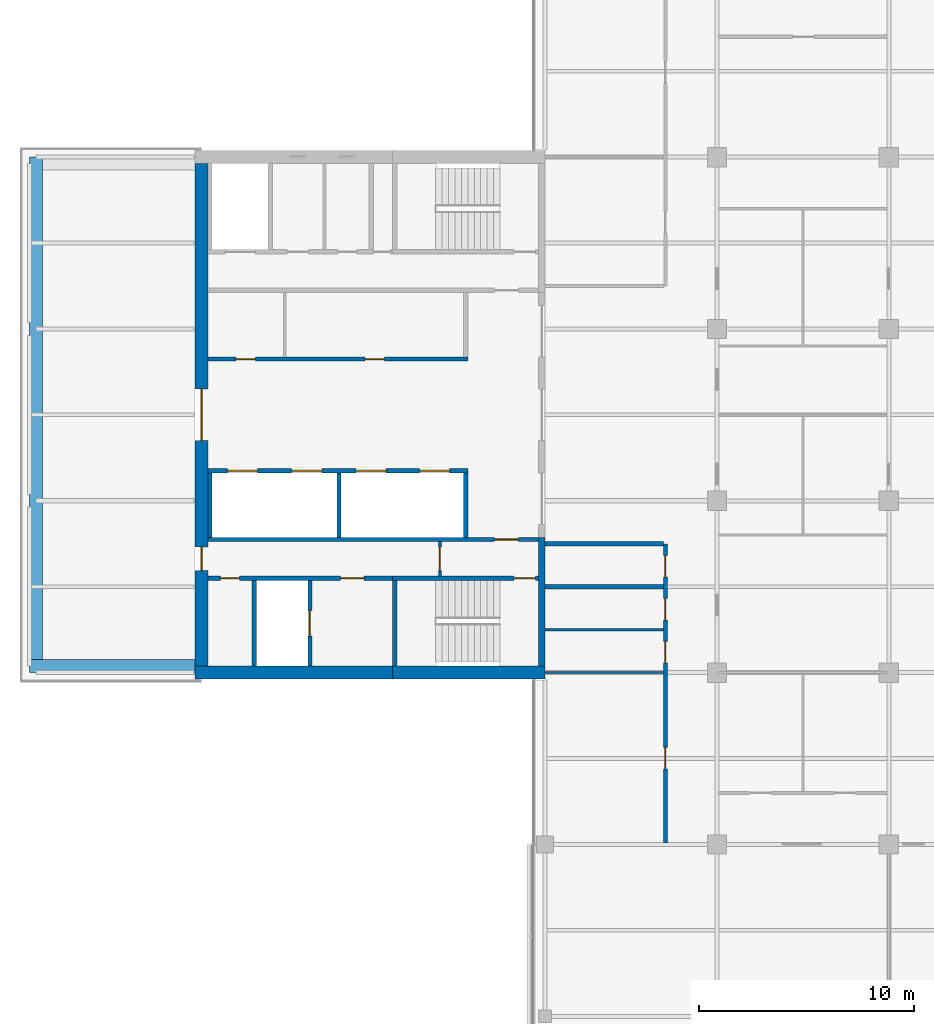
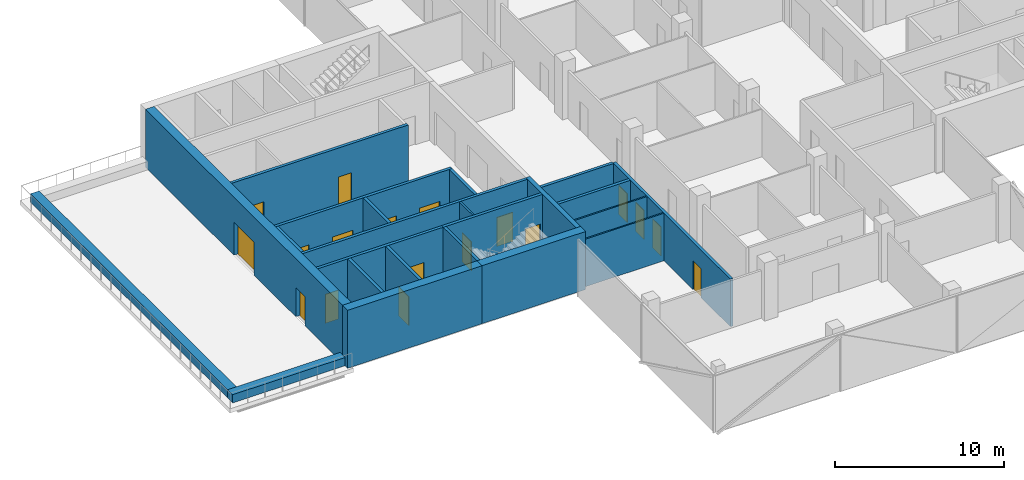
# One storey, part 11 of 18: 23 walls, 18 doors, 18 openings.
"""IFC4 building model written with IfcOpenShell, lengths in metres."""

from ifc_helpers import new_model, si_unit, direction, frame, frame_2d, origin, place, context, subcontext, project, spatial, rectangle, extrude, material, layer, layer_set, constituent, constituent_set, type_object, element, fill, save


model = new_model("IFC4")

# Units and contexts
model_context = context("Model", 3, precision=1e-05, world=origin(), true_north=direction((0.0, 1.0)))
body_context = subcontext(model_context, "Body", "Model", "MODEL_VIEW")
ifc_project = project(units=[si_unit("LENGTHUNIT", "METRE"), si_unit("AREAUNIT", "SQUARE_METRE"), si_unit("VOLUMEUNIT", "CUBIC_METRE"), si_unit("PLANEANGLEUNIT", "RADIAN"), si_unit("MASSUNIT", "GRAM", prefix="KILO")], contexts=[model_context])

# Site, building, storey
site_placement = place(None, origin())
site = spatial("IfcSite", under=ifc_project, at=site_placement, CompositionType="ELEMENT")
building_placement = place(site_placement, origin())
building = spatial("IfcBuilding", under=site, at=building_placement, Name="Crosswind Convention Tower", CompositionType="ELEMENT")
storey_placement = place(building_placement, frame((0.0, 0.0, 178.89990234375)))
storey = spatial("IfcBuildingStorey", under=building, at=storey_placement, Name="L37", CompositionType="ELEMENT", Elevation=178.89990234375)

# Wall, openings, doors
ifc_material_1 = material(Name="Concrete blockwork", Category="masonry")
ifc_layer_1 = layer(ifc_material_1, 0.199951171875)
ifc_layer_set_1 = layer_set([ifc_layer_1], Name="COMPARTMENT WALL 200 BLOCKWORK")
wall_type_1 = type_object("IfcWallType", Name="COMPARTMENT WALL 200 BLOCKWORK", PredefinedType="SOLIDWALL", material=ifc_layer_set_1)
wall_1_placement = place(storey_placement, frame((118.60009765625, 80.074951171875, 0.0), z_axis=(0.0, 0.0, 1.0), x_axis=(0.0, 1.0, 0.0)))
wall_1 = element("IfcWall", 1, at=wall_1_placement, inside=storey, type_object=wall_type_1, Name="Compartment wall WT42", PredefinedType="SOLIDWALL", context=body_context, shape_type="SweptSolid", body=[
    extrude(rectangle(XDim=13.925048828125, YDim=0.199951171875, at=frame_2d((6.96240234375, 0.0))), origin(), (0.0, 0.0, 1.0), 3.43994140625),
])
opening_1_placement = place(wall_1_placement, frame((12.375, 0.0, 0.0)))
opening_1 = element("IfcOpeningElement", 2, at=opening_1_placement, cuts=wall_1, Name="Opening L37-58", PredefinedType="OPENING", context=body_context, shape_type="SweptSolid", body=[
    extrude(rectangle(XDim=1.0, YDim=2.10009765625, at=frame_2d((0.5, 1.050048828125))), frame((0.0, 0.10986328125, 0.0), z_axis=(0.0, -1.0, 0.0), x_axis=(1.0, 0.0, 0.0)), (0.0, 0.0, 1.0), 0.219970703125),
])
opening_2_placement = place(wall_1_placement, frame((10.375, 0.0, 0.0)))
opening_2 = element("IfcOpeningElement", 3, at=opening_2_placement, cuts=wall_1, Name="Opening L37-59", PredefinedType="OPENING", context=body_context, shape_type="SweptSolid", body=[
    extrude(rectangle(XDim=1.0, YDim=2.10009765625, at=frame_2d((0.5, 1.050048828125))), frame((0.0, 0.10986328125, 0.0), z_axis=(0.0, -1.0, 0.0), x_axis=(1.0, 0.0, 0.0)), (0.0, 0.0, 1.0), 0.219970703125),
])
opening_3_placement = place(wall_1_placement, frame((8.375, 0.0, 0.0)))
opening_3 = element("IfcOpeningElement", 4, at=opening_3_placement, cuts=wall_1, Name="Opening L37-60", PredefinedType="OPENING", context=body_context, shape_type="SweptSolid", body=[
    extrude(rectangle(XDim=1.0, YDim=2.10009765625, at=frame_2d((0.5, 1.050048828125))), frame((0.0, 0.10986328125, 0.0), z_axis=(0.0, -1.0, 0.0), x_axis=(1.0, 0.0, 0.0)), (0.0, 0.0, 1.0), 0.219970703125),
])
opening_4_placement = place(wall_1_placement, frame((3.449951171875, 0.0, 0.0)))
opening_4 = element("IfcOpeningElement", 5, at=opening_4_placement, cuts=wall_1, Name="Opening L37-61", PredefinedType="OPENING", context=body_context, shape_type="SweptSolid", body=[
    extrude(rectangle(XDim=1.0, YDim=2.10009765625, at=frame_2d((0.5, 1.050048828125))), frame((0.0, 0.10986328125, 0.0), z_axis=(0.0, -1.0, 0.0), x_axis=(1.0, 0.0, 0.0)), (0.0, 0.0, 1.0), 0.219970703125),
])
ifc_material_2 = material(Name="Steel fire door", Category="steel")
door_type_1 = type_object("IfcDoorType", Name="PLANT ROOM DOOR 1000X2100 FD60", OperationType="NOTDEFINED", PredefinedType="DOOR", material=ifc_material_2)
door_1_placement = place(opening_1_placement, origin())
door_1 = element("IfcDoor", 6, at=door_1_placement, inside=storey, type_object=door_type_1, Name="Door L37-58", ObjectType="D43", OperationType="SINGLE_SWING_LEFT", OverallHeight=2.10009765625, OverallWidth=1.0, PredefinedType="DOOR", context=body_context, shape_type="SweptSolid", body=[
    extrude(rectangle(XDim=1.0, YDim=2.10009765625, at=frame_2d((0.5, 1.050048828125))), frame((0.0, 0.02490234375, 0.0), z_axis=(0.0, -1.0, 0.0), x_axis=(1.0, 0.0, 0.0)), (0.0, 0.0, 1.0), 0.050048828125),
])
fill(opening_1, door_1)
ifc_material_3 = material(Name="Timber fire door", Category="wood")
door_type_2 = type_object("IfcDoorType", Name="TENANCY ENTRANCE DOOR 1000X2100 FD30S", OperationType="NOTDEFINED", PredefinedType="DOOR", material=ifc_material_3)
door_2_placement = place(opening_2_placement, origin())
door_2 = element("IfcDoor", 7, at=door_2_placement, inside=storey, type_object=door_type_2, Name="Door L37-59", ObjectType="D41", OperationType="SINGLE_SWING_RIGHT", OverallHeight=2.10009765625, OverallWidth=1.0, PredefinedType="DOOR", context=body_context, shape_type="SweptSolid", body=[
    extrude(rectangle(XDim=1.0, YDim=2.10009765625, at=frame_2d((0.5, 1.050048828125))), frame((0.0, 0.02490234375, 0.0), z_axis=(0.0, -1.0, 0.0), x_axis=(1.0, 0.0, 0.0)), (0.0, 0.0, 1.0), 0.050048828125),
])
fill(opening_2, door_2)
door_3_placement = place(opening_3_placement, origin())
door_3 = element("IfcDoor", 8, at=door_3_placement, inside=storey, type_object=door_type_2, Name="Door L37-60", ObjectType="D41", OperationType="SINGLE_SWING_LEFT", OverallHeight=2.10009765625, OverallWidth=1.0, PredefinedType="DOOR", context=body_context, shape_type="SweptSolid", body=[
    extrude(rectangle(XDim=1.0, YDim=2.10009765625, at=frame_2d((0.5, 1.050048828125))), frame((0.0, 0.02490234375, 0.0), z_axis=(0.0, -1.0, 0.0), x_axis=(1.0, 0.0, 0.0)), (0.0, 0.0, 1.0), 0.050048828125),
])
fill(opening_3, door_3)
door_4_placement = place(opening_4_placement, origin())
door_4 = element("IfcDoor", 9, at=door_4_placement, inside=storey, type_object=door_type_2, Name="Door L37-61", ObjectType="D41", OperationType="SINGLE_SWING_RIGHT", OverallHeight=2.10009765625, OverallWidth=1.0, PredefinedType="DOOR", context=body_context, shape_type="SweptSolid", body=[
    extrude(rectangle(XDim=1.0, YDim=2.10009765625, at=frame_2d((0.5, 1.050048828125))), frame((0.0, 0.02490234375, 0.0), z_axis=(0.0, -1.0, 0.0), x_axis=(1.0, 0.0, 0.0)), (0.0, 0.0, 1.0), 0.050048828125),
])
fill(opening_4, door_4)

# Walls
for number, where, z_axis, x_axis, name in (
    (10, (113.0, 92.0, 0.0), (0.0, 0.0, 1.0), (1.0, 0.0, 0.0), "Compartment wall WT42"),
    (11, (113.0, 94.0, 0.0), (0.0, 0.0, 1.0), (1.0, 0.0, 0.0), "Compartment wall WT42"),
):
    element("IfcWall", number, at=place(storey_placement, frame(where, z_axis=z_axis, x_axis=x_axis)), inside=storey, type_object=wall_type_1, Name=name, PredefinedType="SOLIDWALL", context=body_context, shape_type="SweptSolid", body=[
        extrude(rectangle(XDim=5.5, YDim=0.199951171875, at=frame_2d((2.75, 0.0))), origin(), (0.0, 0.0, 1.0), 3.43994140625),
    ])
ifc_material_4 = material(Name="Concrete C50/60", Category="concrete")
ifc_layer_2 = layer(ifc_material_4, 0.300048828125)
ifc_layer_set_2 = layer_set([ifc_layer_2], Name="Concrete C50/60")
wall_type_2 = type_object("IfcWallType", Name="Concrete inner core wall 300", PredefinedType="SHEAR", material=ifc_layer_set_2)
wall_2_placement = place(storey_placement, frame((112.85009765625, 94.300048828125, 0.0), z_axis=(0.0, 0.0, 1.0), x_axis=(0.0, -1.0, 0.0)))
element("IfcWall", 12, at=wall_2_placement, inside=storey, type_object=wall_type_2, Name="Wall EP W L37", PredefinedType="SHEAR", context=body_context, shape_type="SweptSolid", body=[
    extrude(rectangle(XDim=6.0, YDim=0.300048828125, at=frame_2d((3.0, 0.0))), origin(), (0.0, 0.0, 1.0), 4.2001953125),
])
ifc_layer_3 = layer(ifc_material_4, 0.199951171875)
ifc_layer_set_3 = layer_set([ifc_layer_3], Name="Concrete C50/60")
wall_type_3 = type_object("IfcWallType", Name="Concrete shaft and stair wall 200", PredefinedType="SHEAR", material=ifc_layer_set_3)
for number, where, z_axis, x_axis, name in (
    (13, (109.300048828125, 97.300048828125, 0.0), (0.0, 0.0, 1.0), (0.0, -1.0, 0.0), "Wall RPEND W L37"),
    (14, (103.39990234375, 97.300048828125, 0.0), (0.0, 0.0, 1.0), (0.0, -1.0, 0.0), "Wall RPSEP W L37"),
    (15, (97.39990234375, 97.300048828125, 0.0), (0.0, 0.0, 1.0), (0.0, -1.0, 0.0), "Wall RPEAST W L37"),
):
    element("IfcWall", number, at=place(storey_placement, frame(where, z_axis=z_axis, x_axis=x_axis)), inside=storey, type_object=wall_type_3, Name=name, PredefinedType="SHEAR", context=body_context, shape_type="SweptSolid", body=[
        extrude(rectangle(XDim=3.0, YDim=0.199951171875, at=frame_2d((1.5, 0.0))), origin(), (0.0, 0.0, 1.0), 4.2001953125),
    ])

# Wall, openings, doors
wall_3_placement = place(storey_placement, frame((109.39990234375, 97.39990234375, 0.0), z_axis=(0.0, 0.0, 1.0), x_axis=(-1.0, 0.0, 0.0)))
wall_3 = element("IfcWall", 16, at=wall_3_placement, inside=storey, type_object=wall_type_3, Name="Wall RPFRONT W L37", PredefinedType="SHEAR", context=body_context, shape_type="SweptSolid", body=[
    extrude(rectangle(XDim=12.099853515625, YDim=0.199951171875, at=frame_2d((6.0498046875, 0.0))), origin(), (0.0, 0.0, 1.0), 4.2001953125),
])
opening_5_placement = place(wall_3_placement, frame((0.85009765625, 0.0, 0.0)))
opening_5 = element("IfcOpeningElement", 17, at=opening_5_placement, cuts=wall_3, Name="Opening LD2", PredefinedType="OPENING", context=body_context, shape_type="SweptSolid", body=[
    extrude(rectangle(XDim=1.39990234375, YDim=2.10009765625, at=frame_2d((0.699951171875, 1.050048828125))), frame((0.0, 0.10986328125, 0.0), z_axis=(0.0, -1.0, 0.0), x_axis=(1.0, 0.0, 0.0)), (0.0, 0.0, 1.0), 0.219970703125),
])
opening_6_placement = place(wall_3_placement, frame((3.800048828125, 0.0, 0.0)))
opening_6 = element("IfcOpeningElement", 18, at=opening_6_placement, cuts=wall_3, Name="Opening LD2", PredefinedType="OPENING", context=body_context, shape_type="SweptSolid", body=[
    extrude(rectangle(XDim=1.39990234375, YDim=2.10009765625, at=frame_2d((0.699951171875, 1.050048828125))), frame((0.0, 0.10986328125, 0.0), z_axis=(0.0, -1.0, 0.0), x_axis=(1.0, 0.0, 0.0)), (0.0, 0.0, 1.0), 0.219970703125),
])
opening_7_placement = place(wall_3_placement, frame((6.800048828125, 0.0, 0.0)))
opening_7 = element("IfcOpeningElement", 19, at=opening_7_placement, cuts=wall_3, Name="Opening LD2", PredefinedType="OPENING", context=body_context, shape_type="SweptSolid", body=[
    extrude(rectangle(XDim=1.39990234375, YDim=2.10009765625, at=frame_2d((0.699951171875, 1.050048828125))), frame((0.0, 0.10986328125, 0.0), z_axis=(0.0, -1.0, 0.0), x_axis=(1.0, 0.0, 0.0)), (0.0, 0.0, 1.0), 0.219970703125),
])
opening_8_placement = place(wall_3_placement, frame((9.800048828125, 0.0, 0.0)))
opening_8 = element("IfcOpeningElement", 20, at=opening_8_placement, cuts=wall_3, Name="Opening LD2", PredefinedType="OPENING", context=body_context, shape_type="SweptSolid", body=[
    extrude(rectangle(XDim=1.39990234375, YDim=2.10009765625, at=frame_2d((0.699951171875, 1.050048828125))), frame((0.0, 0.10986328125, 0.0), z_axis=(0.0, -1.0, 0.0), x_axis=(1.0, 0.0, 0.0)), (0.0, 0.0, 1.0), 0.219970703125),
])
ifc_material_5 = material(Name="Stainless steel", Category="steel")
door_type_3 = type_object("IfcDoorType", Name="Lift landing door 1400x2100", OperationType="DOUBLE_DOOR_SLIDING", PredefinedType="DOOR", material=ifc_material_5)
door_5_placement = place(opening_5_placement, origin())
door_5 = element("IfcDoor", 21, at=door_5_placement, inside=storey, type_object=door_type_3, Name="Landing door HR1 L37", ObjectType="LD2", OperationType="DOUBLE_DOOR_SLIDING", OverallHeight=2.10009765625, OverallWidth=1.39990234375, PredefinedType="DOOR", context=body_context, shape_type="SweptSolid", body=[
    extrude(rectangle(XDim=1.39990234375, YDim=2.10009765625, at=frame_2d((0.699951171875, 1.050048828125))), frame((0.0, 0.02490234375, 0.0), z_axis=(0.0, -1.0, 0.0), x_axis=(1.0, 0.0, 0.0)), (0.0, 0.0, 1.0), 0.050048828125),
])
fill(opening_5, door_5)
door_6_placement = place(opening_6_placement, origin())
door_6 = element("IfcDoor", 22, at=door_6_placement, inside=storey, type_object=door_type_3, Name="Landing door HR2 L37", ObjectType="LD2", OperationType="DOUBLE_DOOR_SLIDING", OverallHeight=2.10009765625, OverallWidth=1.39990234375, PredefinedType="DOOR", context=body_context, shape_type="SweptSolid", body=[
    extrude(rectangle(XDim=1.39990234375, YDim=2.10009765625, at=frame_2d((0.699951171875, 1.050048828125))), frame((0.0, 0.02490234375, 0.0), z_axis=(0.0, -1.0, 0.0), x_axis=(1.0, 0.0, 0.0)), (0.0, 0.0, 1.0), 0.050048828125),
])
fill(opening_6, door_6)
door_7_placement = place(opening_7_placement, origin())
door_7 = element("IfcDoor", 23, at=door_7_placement, inside=storey, type_object=door_type_3, Name="Landing door HR3 L37", ObjectType="LD2", OperationType="DOUBLE_DOOR_SLIDING", OverallHeight=2.10009765625, OverallWidth=1.39990234375, PredefinedType="DOOR", context=body_context, shape_type="SweptSolid", body=[
    extrude(rectangle(XDim=1.39990234375, YDim=2.10009765625, at=frame_2d((0.699951171875, 1.050048828125))), frame((0.0, 0.02490234375, 0.0), z_axis=(0.0, -1.0, 0.0), x_axis=(1.0, 0.0, 0.0)), (0.0, 0.0, 1.0), 0.050048828125),
])
fill(opening_7, door_7)
door_8_placement = place(opening_8_placement, origin())
door_8 = element("IfcDoor", 24, at=door_8_placement, inside=storey, type_object=door_type_3, Name="Landing door HR4 L37", ObjectType="LD2", OperationType="DOUBLE_DOOR_SLIDING", OverallHeight=2.10009765625, OverallWidth=1.39990234375, PredefinedType="DOOR", context=body_context, shape_type="SweptSolid", body=[
    extrude(rectangle(XDim=1.39990234375, YDim=2.10009765625, at=frame_2d((0.699951171875, 1.050048828125))), frame((0.0, 0.02490234375, 0.0), z_axis=(0.0, -1.0, 0.0), x_axis=(1.0, 0.0, 0.0)), (0.0, 0.0, 1.0), 0.050048828125),
])
fill(opening_8, door_8)

wall_4_placement = place(storey_placement, frame((109.39990234375, 102.60009765625, 0.0), z_axis=(0.0, 0.0, 1.0), x_axis=(-1.0, 0.0, 0.0)))
wall_4 = element("IfcWall", 25, at=wall_4_placement, inside=storey, type_object=wall_type_3, Name="Wall RMFRONT W L37", PredefinedType="SHEAR", context=body_context, shape_type="SweptSolid", body=[
    extrude(rectangle(XDim=12.099853515625, YDim=0.199951171875, at=frame_2d((6.0498046875, 0.0))), origin(), (0.0, 0.0, 1.0), 4.2001953125),
])
opening_9_placement = place(wall_4_placement, frame((3.8837890625, 0.0, 0.0)))
opening_9 = element("IfcOpeningElement", 26, at=opening_9_placement, cuts=wall_4, Name="Opening D106", PredefinedType="OPENING", context=body_context, shape_type="SweptSolid", body=[
    extrude(rectangle(XDim=0.89990234375, YDim=2.10009765625, at=frame_2d((0.449951171875, 1.050048828125))), frame((0.0, 0.10986328125, 0.0), z_axis=(0.0, -1.0, 0.0), x_axis=(1.0, 0.0, 0.0)), (0.0, 0.0, 1.0), 0.219970703125),
])
opening_10_placement = place(wall_4_placement, frame((9.896240234375, 0.0, 0.0)))
opening_10 = element("IfcOpeningElement", 27, at=opening_10_placement, cuts=wall_4, Name="Opening D106", PredefinedType="OPENING", context=body_context, shape_type="SweptSolid", body=[
    extrude(rectangle(XDim=0.89990234375, YDim=2.10009765625, at=frame_2d((0.449951171875, 1.050048828125))), frame((0.0, 0.10986328125, 0.0), z_axis=(0.0, -1.0, 0.0), x_axis=(1.0, 0.0, 0.0)), (0.0, 0.0, 1.0), 0.219970703125),
])
ifc_material_6 = material(Name="Timber door", Category="wood")
door_type_4 = type_object("IfcDoorType", Name="Single leaf door 900x2100", OperationType="NOTDEFINED", PredefinedType="DOOR", material=ifc_material_6)
door_9_placement = place(opening_9_placement, frame((0.89990234375, 0.0, 0.0), z_axis=(0.0, 0.0, 1.0), x_axis=(-1.0, 0.0, 0.0)))
door_9 = element("IfcDoor", 28, at=door_9_placement, inside=storey, type_object=door_type_4, Name="Door to pantry L37", ObjectType="D106", OperationType="SINGLE_SWING_LEFT", OverallHeight=2.10009765625, OverallWidth=0.89990234375, PredefinedType="DOOR", context=body_context, shape_type="SweptSolid", body=[
    extrude(rectangle(XDim=0.89990234375, YDim=2.10009765625, at=frame_2d((0.449951171875, 1.050048828125))), frame((0.0, 0.02490234375, 0.0), z_axis=(0.0, -1.0, 0.0), x_axis=(1.0, 0.0, 0.0)), (0.0, 0.0, 1.0), 0.050048828125),
])
fill(opening_9, door_9)
door_10_placement = place(opening_10_placement, frame((0.89990234375, 0.0, 0.0), z_axis=(0.0, 0.0, 1.0), x_axis=(-1.0, 0.0, 0.0)))
door_10 = element("IfcDoor", 29, at=door_10_placement, inside=storey, type_object=door_type_4, Name="Door to telecoms room L37", ObjectType="D106", OperationType="SINGLE_SWING_LEFT", OverallHeight=2.10009765625, OverallWidth=0.89990234375, PredefinedType="DOOR", context=body_context, shape_type="SweptSolid", body=[
    extrude(rectangle(XDim=0.89990234375, YDim=2.10009765625, at=frame_2d((0.449951171875, 1.050048828125))), frame((0.0, 0.02490234375, 0.0), z_axis=(0.0, -1.0, 0.0), x_axis=(1.0, 0.0, 0.0)), (0.0, 0.0, 1.0), 0.050048828125),
])
fill(opening_10, door_10)

# Wall, opening, door
wall_5_placement = place(storey_placement, frame((112.699951171875, 94.199951171875, 0.0), z_axis=(0.0, 0.0, 1.0), x_axis=(-1.0, 0.0, 0.0)))
wall_5 = element("IfcWall", 30, at=wall_5_placement, inside=storey, type_object=wall_type_3, Name="Wall HP W L37", PredefinedType="SHEAR", context=body_context, shape_type="SweptSolid", body=[
    extrude(rectangle(XDim=15.39990234375, YDim=0.199951171875, at=frame_2d((7.699951171875, 0.0))), origin(), (0.0, 0.0, 1.0), 4.2001953125),
])
opening_11_placement = place(wall_5_placement, frame((0.949951171875, 0.0, 0.0)))
opening_11 = element("IfcOpeningElement", 31, at=opening_11_placement, cuts=wall_5, Name="Opening D104", PredefinedType="OPENING", context=body_context, shape_type="SweptSolid", body=[
    extrude(rectangle(XDim=1.10009765625, YDim=2.10009765625, at=frame_2d((0.550048828125, 1.050048828125))), frame((0.0, 0.10986328125, 0.0), z_axis=(0.0, -1.0, 0.0), x_axis=(1.0, 0.0, 0.0)), (0.0, 0.0, 1.0), 0.219970703125),
])
door_type_5 = type_object("IfcDoorType", Name="Fire-rated single door 1100x2100", OperationType="NOTDEFINED", PredefinedType="DOOR", material=ifc_material_2)
door_11_placement = place(opening_11_placement, origin())
door_11 = element("IfcDoor", 32, at=door_11_placement, inside=storey, type_object=door_type_5, Name="Corridor door L37", ObjectType="D104", OperationType="SINGLE_SWING_LEFT", OverallHeight=2.10009765625, OverallWidth=1.10009765625, PredefinedType="DOOR", context=body_context, shape_type="SweptSolid", body=[
    extrude(rectangle(XDim=1.10009765625, YDim=2.10009765625, at=frame_2d((0.550048828125, 1.050048828125))), frame((0.0, 0.02490234375, 0.0), z_axis=(0.0, -1.0, 0.0), x_axis=(1.0, 0.0, 0.0)), (0.0, 0.0, 1.0), 0.050048828125),
])
fill(opening_11, door_11)

# Wall
wall_6_placement = place(storey_placement, frame((106.0, 92.300048828125, 0.0), z_axis=(0.0, 0.0, 1.0), x_axis=(0.0, -1.0, 0.0)))
element("IfcWall", 33, at=wall_6_placement, inside=storey, type_object=wall_type_3, Name="Wall PSE W L37", PredefinedType="SHEAR", context=body_context, shape_type="SweptSolid", body=[
    extrude(rectangle(XDim=4.0, YDim=0.199951171875, at=frame_2d((2.0, 0.0))), origin(), (0.0, 0.0, 1.0), 4.2001953125),
])

# Wall, opening, door
wall_7_placement = place(storey_placement, frame((102.050048828125, 92.300048828125, 0.0), z_axis=(0.0, 0.0, 1.0), x_axis=(0.0, -1.0, 0.0)))
wall_7 = element("IfcWall", 34, at=wall_7_placement, inside=storey, type_object=wall_type_3, Name="Wall PFLW W L37", PredefinedType="SHEAR", context=body_context, shape_type="SweptSolid", body=[
    extrude(rectangle(XDim=4.0, YDim=0.199951171875, at=frame_2d((2.0, 0.0))), origin(), (0.0, 0.0, 1.0), 4.2001953125),
])
opening_12_placement = place(wall_7_placement, frame((1.39990234375, 0.0, 0.0)))
opening_12 = element("IfcOpeningElement", 35, at=opening_12_placement, cuts=wall_7, Name="Opening LD1", PredefinedType="OPENING", context=body_context, shape_type="SweptSolid", body=[
    extrude(rectangle(XDim=1.199951171875, YDim=2.10009765625, at=frame_2d((0.60009765625, 1.050048828125))), frame((0.0, 0.10986328125, 0.0), z_axis=(0.0, -1.0, 0.0), x_axis=(1.0, 0.0, 0.0)), (0.0, 0.0, 1.0), 0.219970703125),
])
door_type_6 = type_object("IfcDoorType", Name="Lift landing door 1200x2100", OperationType="DOUBLE_DOOR_SLIDING", PredefinedType="DOOR", material=ifc_material_5)
door_12_placement = place(opening_12_placement, origin())
door_12 = element("IfcDoor", 36, at=door_12_placement, inside=storey, type_object=door_type_6, Name="Landing door FF2 L37", ObjectType="LD1", OperationType="DOUBLE_DOOR_SLIDING", OverallHeight=2.10009765625, OverallWidth=1.199951171875, PredefinedType="DOOR", context=body_context, shape_type="SweptSolid", body=[
    extrude(rectangle(XDim=1.199951171875, YDim=2.10009765625, at=frame_2d((0.60009765625, 1.050048828125))), frame((0.0, 0.02490234375, 0.0), z_axis=(0.0, -1.0, 0.0), x_axis=(1.0, 0.0, 0.0)), (0.0, 0.0, 1.0), 0.050048828125),
])
fill(opening_12, door_12)

# Wall
wall_8_placement = place(storey_placement, frame((99.449951171875, 92.300048828125, 0.0), z_axis=(0.0, 0.0, 1.0), x_axis=(0.0, -1.0, 0.0)))
element("IfcWall", 37, at=wall_8_placement, inside=storey, type_object=wall_type_3, Name="Wall PFSE W L37", PredefinedType="SHEAR", context=body_context, shape_type="SweptSolid", body=[
    extrude(rectangle(XDim=4.0, YDim=0.199951171875, at=frame_2d((2.0, 0.0))), origin(), (0.0, 0.0, 1.0), 4.2001953125),
])

# Wall, opening, door
wall_9_placement = place(storey_placement, frame((112.699951171875, 92.39990234375, 0.0), z_axis=(0.0, 0.0, 1.0), x_axis=(-1.0, 0.0, 0.0)))
wall_9 = element("IfcWall", 38, at=wall_9_placement, inside=storey, type_object=wall_type_3, Name="Wall PCW W L37", PredefinedType="SHEAR", context=body_context, shape_type="SweptSolid", body=[
    extrude(rectangle(XDim=6.800048828125, YDim=0.199951171875, at=frame_2d((3.39990234375, 0.0))), origin(), (0.0, 0.0, 1.0), 4.2001953125),
])
opening_13_placement = place(wall_9_placement, frame((0.14990234375, 0.0, 0.0)))
opening_13 = element("IfcOpeningElement", 39, at=opening_13_placement, cuts=wall_9, Name="Opening D103", PredefinedType="OPENING", context=body_context, shape_type="SweptSolid", body=[
    extrude(rectangle(XDim=1.0, YDim=2.10009765625, at=frame_2d((0.5, 1.050048828125))), frame((0.0, 0.10986328125, 0.0), z_axis=(0.0, -1.0, 0.0), x_axis=(1.0, 0.0, 0.0)), (0.0, 0.0, 1.0), 0.219970703125),
])
door_type_7 = type_object("IfcDoorType", Name="Fire-rated single door 1000x2100", OperationType="NOTDEFINED", PredefinedType="DOOR", material=ifc_material_2)
door_13_placement = place(opening_13_placement, origin())
door_13 = element("IfcDoor", 40, at=door_13_placement, inside=storey, type_object=door_type_7, Name="Stair ST3 door L37", ObjectType="D103", OperationType="SINGLE_SWING_LEFT", OverallHeight=2.10009765625, OverallWidth=1.0, PredefinedType="DOOR", context=body_context, shape_type="SweptSolid", body=[
    extrude(rectangle(XDim=1.0, YDim=2.10009765625, at=frame_2d((0.5, 1.050048828125))), frame((0.0, 0.02490234375, 0.0), z_axis=(0.0, -1.0, 0.0), x_axis=(1.0, 0.0, 0.0)), (0.0, 0.0, 1.0), 0.050048828125),
])
fill(opening_13, door_13)

# Wall, openings, doors
wall_10_placement = place(storey_placement, frame((105.89990234375, 92.39990234375, 0.0), z_axis=(0.0, 0.0, 1.0), x_axis=(-1.0, 0.0, 0.0)))
wall_10 = element("IfcWall", 41, at=wall_10_placement, inside=storey, type_object=wall_type_3, Name="Wall PCX W L37", PredefinedType="SHEAR", context=body_context, shape_type="SweptSolid", body=[
    extrude(rectangle(XDim=8.599853515625, YDim=0.199951171875, at=frame_2d((4.2998046875, 0.0))), origin(), (0.0, 0.0, 1.0), 4.2001953125),
])
opening_14_placement = place(wall_10_placement, frame((1.324951171875, 0.0, 0.0)))
opening_14 = element("IfcOpeningElement", 42, at=opening_14_placement, cuts=wall_10, Name="Opening D104", PredefinedType="OPENING", context=body_context, shape_type="SweptSolid", body=[
    extrude(rectangle(XDim=1.10009765625, YDim=2.10009765625, at=frame_2d((0.550048828125, 1.050048828125))), frame((0.0, 0.10986328125, 0.0), z_axis=(0.0, -1.0, 0.0), x_axis=(1.0, 0.0, 0.0)), (0.0, 0.0, 1.0), 0.219970703125),
])
opening_15_placement = place(wall_10_placement, frame((7.125, 0.0, 0.0)))
opening_15 = element("IfcOpeningElement", 43, at=opening_15_placement, cuts=wall_10, Name="Opening D106", PredefinedType="OPENING", context=body_context, shape_type="SweptSolid", body=[
    extrude(rectangle(XDim=0.89990234375, YDim=2.10009765625, at=frame_2d((0.449951171875, 1.050048828125))), frame((0.0, 0.10986328125, 0.0), z_axis=(0.0, -1.0, 0.0), x_axis=(1.0, 0.0, 0.0)), (0.0, 0.0, 1.0), 0.219970703125),
])
door_14_placement = place(opening_14_placement, origin())
door_14 = element("IfcDoor", 44, at=door_14_placement, inside=storey, type_object=door_type_5, Name="Fire-fighting lobby FF2 door L37", ObjectType="D104", OperationType="SINGLE_SWING_RIGHT", OverallHeight=2.10009765625, OverallWidth=1.10009765625, PredefinedType="DOOR", context=body_context, shape_type="SweptSolid", body=[
    extrude(rectangle(XDim=1.10009765625, YDim=2.10009765625, at=frame_2d((0.550048828125, 1.050048828125))), frame((0.0, 0.02490234375, 0.0), z_axis=(0.0, -1.0, 0.0), x_axis=(1.0, 0.0, 0.0)), (0.0, 0.0, 1.0), 0.050048828125),
])
fill(opening_14, door_14)
door_15_placement = place(opening_15_placement, origin())
door_15 = element("IfcDoor", 45, at=door_15_placement, inside=storey, type_object=door_type_4, Name="Door to cleaners' store L37", ObjectType="D106", OperationType="SINGLE_SWING_RIGHT", OverallHeight=2.10009765625, OverallWidth=0.89990234375, PredefinedType="DOOR", context=body_context, shape_type="SweptSolid", body=[
    extrude(rectangle(XDim=0.89990234375, YDim=2.10009765625, at=frame_2d((0.449951171875, 1.050048828125))), frame((0.0, 0.02490234375, 0.0), z_axis=(0.0, -1.0, 0.0), x_axis=(1.0, 0.0, 0.0)), (0.0, 0.0, 1.0), 0.050048828125),
])
fill(opening_15, door_15)

# Wall, opening, door
ifc_material_7 = material(Name="Gypsum plasterboard partition", Category="gypsum")
ifc_layer_4 = layer(ifc_material_7, 0.125)
ifc_layer_set_4 = layer_set([ifc_layer_4], Name="Drywall partition wall 125")
wall_type_4 = type_object("IfcWallType", Name="Drywall partition wall 125", PredefinedType="PARTITIONING", material=ifc_layer_set_4)
wall_11_placement = place(storey_placement, frame((108.10009765625, 94.10009765625, 0.0), z_axis=(0.0, 0.0, 1.0), x_axis=(0.0, -1.0, 0.0)))
wall_11 = element("IfcWall", 46, at=wall_11_placement, inside=storey, type_object=wall_type_4, Name="Wall PXC1 W L37", PredefinedType="PARTITIONING", context=body_context, shape_type="SweptSolid", body=[
    extrude(rectangle(XDim=1.60009765625, YDim=0.125, at=frame_2d((0.800048828125, 0.0))), origin(), (0.0, 0.0, 1.0), 4.2001953125),
])
opening_16_placement = place(wall_11_placement, frame((0.25, 0.0, 0.0)))
opening_16 = element("IfcOpeningElement", 47, at=opening_16_placement, cuts=wall_11, Name="Opening D104", PredefinedType="OPENING", context=body_context, shape_type="SweptSolid", body=[
    extrude(rectangle(XDim=1.10009765625, YDim=2.10009765625, at=frame_2d((0.550048828125, 1.050048828125))), frame((0.0, 0.072509765625, 0.0), z_axis=(0.0, -1.0, 0.0), x_axis=(1.0, 0.0, 0.0)), (0.0, 0.0, 1.0), 0.14501953125),
])
door_16_placement = place(opening_16_placement, origin())
door_16 = element("IfcDoor", 48, at=door_16_placement, inside=storey, type_object=door_type_5, Name="Corridor smoke door L37", ObjectType="D104", OperationType="SINGLE_SWING_RIGHT", OverallHeight=2.10009765625, OverallWidth=1.10009765625, PredefinedType="DOOR", context=body_context, shape_type="SweptSolid", body=[
    extrude(rectangle(XDim=1.10009765625, YDim=2.10009765625, at=frame_2d((0.550048828125, 1.050048828125))), frame((0.0, 0.02490234375, 0.0), z_axis=(0.0, -1.0, 0.0), x_axis=(1.0, 0.0, 0.0)), (0.0, 0.0, 1.0), 0.050048828125),
])
fill(opening_16, door_16)

# Walls
ifc_material_8 = material(Name="Plasterboard partition", Category="gypsum")
ifc_layer_5 = layer(ifc_material_8, 0.10009765625)
ifc_layer_set_5 = layer_set([ifc_layer_5], Name="PARTITION 100 METAL STUD")
wall_type_5 = type_object("IfcWallType", Name="PARTITION 100 METAL STUD", PredefinedType="PARTITIONING", material=ifc_layer_set_5)
for number, where, z_axis, x_axis, name in (
    (49, (113.0, 88.0, 0.0), (0.0, 0.0, 1.0), (1.0, 0.0, 0.0), "Partition wall WT40"),
    (50, (113.0, 90.0, 0.0), (0.0, 0.0, 1.0), (1.0, 0.0, 0.0), "Partition wall WT40"),
):
    element("IfcWall", number, at=place(storey_placement, frame(where, z_axis=z_axis, x_axis=x_axis)), inside=storey, type_object=wall_type_5, Name=name, PredefinedType="PARTITIONING", context=body_context, shape_type="SweptSolid", body=[
        extrude(rectangle(XDim=5.5, YDim=0.10009765625, at=frame_2d((2.75, 0.0))), origin(), (0.0, 0.0, 1.0), 3.43994140625),
    ])
ifc_material_9 = material(Name="Concrete C30/37", Category="concrete")
ifc_layer_6 = layer(ifc_material_9, 0.60009765625)
ifc_layer_set_6 = layer_set([ifc_layer_6], Name="Concrete C30/37")
wall_type_6 = type_object("IfcWallType", Name="PLANTER BOX WALL 600", PredefinedType="SOLIDWALL", material=ifc_layer_set_6)
wall_12_placement = place(storey_placement, frame((96.699951171875, 88.300048828125, 0.0), z_axis=(0.0, 0.0, 1.0), x_axis=(-1.0, 0.0, 0.0)))
element("IfcWall", 51, at=wall_12_placement, inside=storey, type_object=wall_type_6, Name="PLANTER L37 W 1", PredefinedType="SOLIDWALL", context=body_context, shape_type="SweptSolid", body=[
    extrude(rectangle(XDim=7.699951171875, YDim=0.60009765625, at=frame_2d((3.85009765625, 0.0))), origin(), (0.0, 0.0, 1.0), 0.60009765625),
])
wall_13_placement = place(storey_placement, frame((89.300048828125, 88.60009765625, 0.0), z_axis=(0.0, 0.0, 1.0), x_axis=(0.0, 1.0, 0.0)))
element("IfcWall", 52, at=wall_13_placement, inside=storey, type_object=wall_type_6, Name="PLANTER L37 W 2", PredefinedType="SOLIDWALL", context=body_context, shape_type="SweptSolid", body=[
    extrude(rectangle(XDim=23.39990234375, YDim=0.60009765625, at=frame_2d((11.699951171875, 0.0))), origin(), (0.0, 0.0, 1.0), 0.60009765625),
])
ifc_material_10 = material(Name="Concrete C60/75", Category="concrete")
ifc_constituent_1 = constituent(ifc_material_10, Name="Structure")
ifc_material_11 = material(Name="Terracotta rainscreen", Category="ceramic")
ifc_constituent_2 = constituent(ifc_material_11, Name="Facing")
ifc_constituent_set = constituent_set(constituents=[ifc_constituent_1, ifc_constituent_2], Name="Concrete C60/75, Terracotta rainscreen")
wall_type_7 = type_object("IfcWallType", Name="Terracotta rainscreen on concrete core wall 600", PredefinedType="SHEAR", material=ifc_constituent_set)
wall_14_placement = place(storey_placement, frame((113.0, 88.0, 0.0), z_axis=(0.0, 0.0, 1.0), x_axis=(-1.0, 0.0, 0.0)))
element("IfcWall", 53, at=wall_14_placement, inside=storey, type_object=wall_type_7, Name="Wall N1 W L37", PredefinedType="SHEAR", context=body_context, shape_type="SweptSolid", body=[
    extrude(rectangle(XDim=7.10009765625, YDim=0.60009765625, at=frame_2d((3.550048828125, 0.0))), origin(), (0.0, 0.0, 1.0), 4.2001953125),
])
wall_15_placement = place(storey_placement, frame((105.89990234375, 88.0, 0.0), z_axis=(0.0, 0.0, 1.0), x_axis=(-1.0, 0.0, 0.0)))
element("IfcWall", 54, at=wall_15_placement, inside=storey, type_object=wall_type_7, Name="Wall N2 W L37", PredefinedType="SHEAR", context=body_context, shape_type="SweptSolid", body=[
    extrude(rectangle(XDim=9.199951171875, YDim=0.60009765625, at=frame_2d((4.60009765625, 0.0))), origin(), (0.0, 0.0, 1.0), 4.2001953125),
])

# Wall, openings, doors
wall_16_placement = place(storey_placement, frame((97.0, 111.699951171875, 0.0), z_axis=(0.0, 0.0, 1.0), x_axis=(0.0, -1.0, 0.0)))
wall_16 = element("IfcWall", 55, at=wall_16_placement, inside=storey, type_object=wall_type_7, Name="Wall O W L37", PredefinedType="SHEAR", context=body_context, shape_type="SweptSolid", body=[
    extrude(rectangle(XDim=23.39990234375, YDim=0.60009765625, at=frame_2d((11.699951171875, 0.0))), origin(), (0.0, 0.0, 1.0), 4.2001953125),
])
opening_17_placement = place(wall_16_placement, frame((10.5, 0.0, 0.0)))
opening_17 = element("IfcOpeningElement", 56, at=opening_17_placement, cuts=wall_16, Name="Opening D100", PredefinedType="OPENING", context=body_context, shape_type="SweptSolid", body=[
    extrude(rectangle(XDim=2.39990234375, YDim=2.39990234375, at=frame_2d((1.199951171875, 1.199951171875))), frame((0.0, 0.31005859375, 0.0), z_axis=(0.0, -1.0, 0.0), x_axis=(1.0, 0.0, 0.0)), (0.0, 0.0, 1.0), 0.6201171875),
])
opening_18_placement = place(wall_16_placement, frame((17.85009765625, 0.0, 0.0)))
opening_18 = element("IfcOpeningElement", 57, at=opening_18_placement, cuts=wall_16, Name="Opening D144", PredefinedType="OPENING", context=body_context, shape_type="SweptSolid", body=[
    extrude(rectangle(XDim=1.10009765625, YDim=2.10009765625, at=frame_2d((0.550048828125, 1.050048828125))), frame((0.0, 0.31005859375, 0.0), z_axis=(0.0, -1.0, 0.0), x_axis=(1.0, 0.0, 0.0)), (0.0, 0.0, 1.0), 0.6201171875),
])
ifc_material_12 = material(Name="Steel fire door with glazed vision panels", Category="steel")
door_type_8 = type_object("IfcDoorType", Name="Fire-rated double door 2400x2400", OperationType="DOUBLE_DOOR_SINGLE_SWING", PredefinedType="DOOR", material=ifc_material_12)
door_17_placement = place(opening_17_placement, frame((2.39990234375, 0.0, 0.0), z_axis=(0.0, 0.0, 1.0), x_axis=(-1.0, 0.0, 0.0)))
door_17 = element("IfcDoor", 58, at=door_17_placement, inside=storey, type_object=door_type_8, Name="Lobby outer door L37", ObjectType="D100", OperationType="DOUBLE_DOOR_SINGLE_SWING", OverallHeight=2.39990234375, OverallWidth=2.39990234375, PredefinedType="DOOR", context=body_context, shape_type="SweptSolid", body=[
    extrude(rectangle(XDim=2.39990234375, YDim=2.39990234375, at=frame_2d((1.199951171875, 1.199951171875))), frame((0.0, 0.02490234375, 0.0), z_axis=(0.0, -1.0, 0.0), x_axis=(1.0, 0.0, 0.0)), (0.0, 0.0, 1.0), 0.050048828125),
])
fill(opening_17, door_17)
ifc_material_13 = material(Name="Aluminium glazed door", Category="aluminium")
door_type_9 = type_object("IfcDoorType", Name="TERRACE CORE DOOR 1100X2100", OperationType="NOTDEFINED", PredefinedType="DOOR", material=ifc_material_13)
door_18_placement = place(opening_18_placement, frame((1.10009765625, 0.0, 0.0), z_axis=(0.0, 0.0, 1.0), x_axis=(-1.0, 0.0, 0.0)))
door_18 = element("IfcDoor", 59, at=door_18_placement, inside=storey, type_object=door_type_9, Name="D144 terrace door L37 W", ObjectType="D144", OperationType="SINGLE_SWING_LEFT", OverallHeight=2.10009765625, OverallWidth=1.10009765625, PredefinedType="DOOR", context=body_context, shape_type="SweptSolid", body=[
    extrude(rectangle(XDim=1.10009765625, YDim=2.10009765625, at=frame_2d((0.550048828125, 1.050048828125))), frame((0.0, 0.02490234375, 0.0), z_axis=(0.0, -1.0, 0.0), x_axis=(1.0, 0.0, 0.0)), (0.0, 0.0, 1.0), 0.050048828125),
])
fill(opening_18, door_18)

save(model, "model.ifc")
